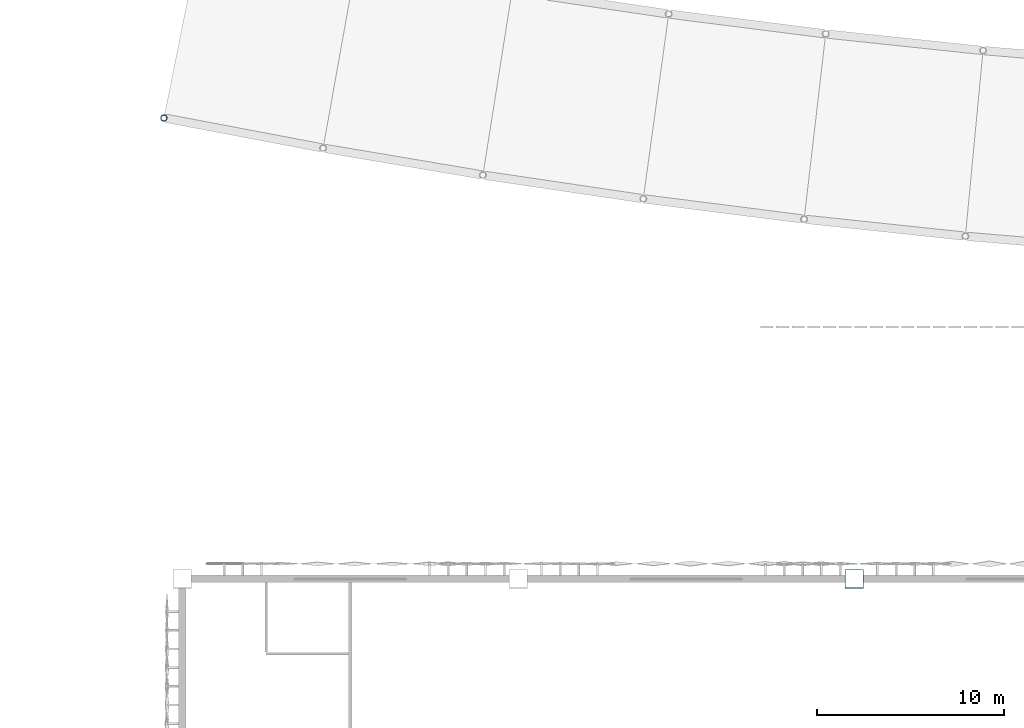
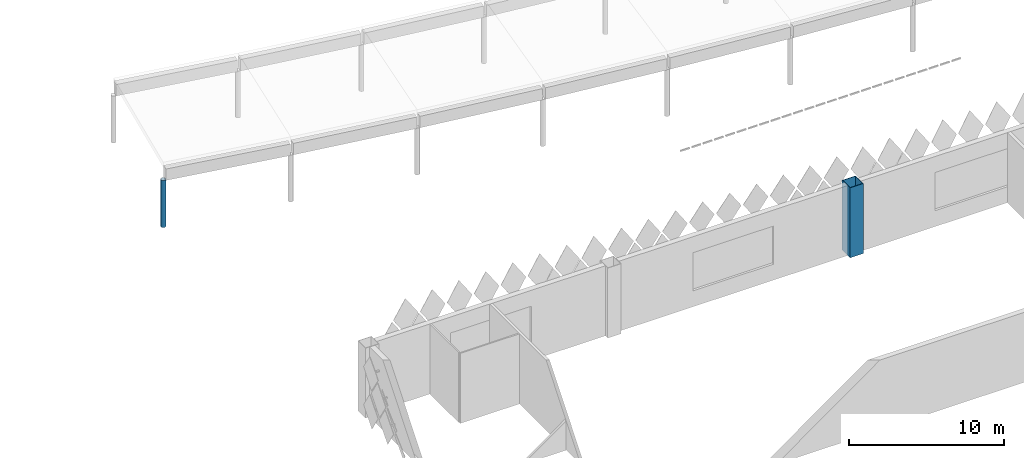
# One storey, part 7 of 185: 2 columns.
"""IFC4 building model written with IfcOpenShell, lengths in metres."""

from ifc_helpers import new_model, si_unit, direction, frame, origin, origin_2d, place, context, subcontext, project, spatial, hollow_rectangle, hollow_circle, extrude, material, material_profile, profile_set, type_object, element, save


model = new_model("IFC4")

# Units and contexts
model_context = context("Model", 3, precision=1e-05, world=origin(), true_north=direction((0.0, 1.0)))
body_context = subcontext(model_context, "Body", "Model", "MODEL_VIEW")
ifc_project = project(units=[si_unit("LENGTHUNIT", "METRE"), si_unit("AREAUNIT", "SQUARE_METRE"), si_unit("VOLUMEUNIT", "CUBIC_METRE"), si_unit("PLANEANGLEUNIT", "RADIAN"), si_unit("MASSUNIT", "GRAM", prefix="KILO")], contexts=[model_context])

# Site, building, storey
site_placement = place(None, origin())
site = spatial("IfcSite", under=ifc_project, at=site_placement, CompositionType="ELEMENT")
building_placement = place(site_placement, origin())
building = spatial("IfcBuilding", under=site, at=building_placement, Name="Opaline Strait Convention Centre", CompositionType="ELEMENT")
storey_placement = place(building_placement, frame((0.0, 0.0, 6.0)))
storey = spatial("IfcBuildingStorey", under=building, at=storey_placement, Name="L01", CompositionType="ELEMENT", Elevation=6.0)

# Columns
ifc_material = material(Name="Steel Q355B", Category="steel")
ifc_material_profile_1 = material_profile(ifc_material, hollow_circle(Radius=0.175537109375, WallThickness=0.01611328125, at=origin_2d()), Name="CHS 351x16")
ifc_profile_set_1 = profile_set([ifc_material_profile_1], Name="Steel Q355B")
column_type_1 = type_object("IfcColumnType", Name="Arcade column CHS 351x16", PredefinedType="COLUMN", material=ifc_profile_set_1)
column_1_placement = place(storey_placement, frame((98.019287109375, 177.697021484375, 0.0), z_axis=(0.0, 0.0, 1.0), x_axis=(1.0, 0.0, 0.0)))
element("IfcColumn", 1, at=column_1_placement, inside=storey, type_object=column_type_1, Name="Arcade column SC-I01", ObjectType="SCC1", PredefinedType="COLUMN", context=body_context, shape_type="SweptSolid", body=[
    extrude(hollow_circle(Radius=0.175537109375, WallThickness=0.01611328125, at=origin_2d()), origin(), (0.0, 0.0, 1.0), 3.68505859375),
])
ifc_material_profile_2 = material_profile(ifc_material, hollow_rectangle(XDim=1.0, YDim=1.0, WallThickness=0.031982421875, at=origin_2d()), Name="BOX 1000x1000x32")
ifc_profile_set_2 = profile_set([ifc_material_profile_2], Name="Steel Q355B")
column_type_2 = type_object("IfcColumnType", Name="CFT column BOX 1000x1000x32 C60 fill", PredefinedType="COLUMN", material=ifc_profile_set_2)
column_2_placement = place(storey_placement, frame((135.0, 153.0, 0.0), z_axis=(0.0, 0.0, 1.0), x_axis=(1.0, 0.0, 0.0)))
element("IfcColumn", 2, at=column_2_placement, inside=storey, type_object=column_type_2, Name="Roof column XC-11", ObjectType="XC1", PredefinedType="COLUMN", context=body_context, shape_type="SweptSolid", body=[
    extrude(hollow_rectangle(XDim=1.0, YDim=1.0, WallThickness=0.031982421875, at=origin_2d()), origin(), (0.0, 0.0, 1.0), 5.5),
])

save(model, "model.ifc")
